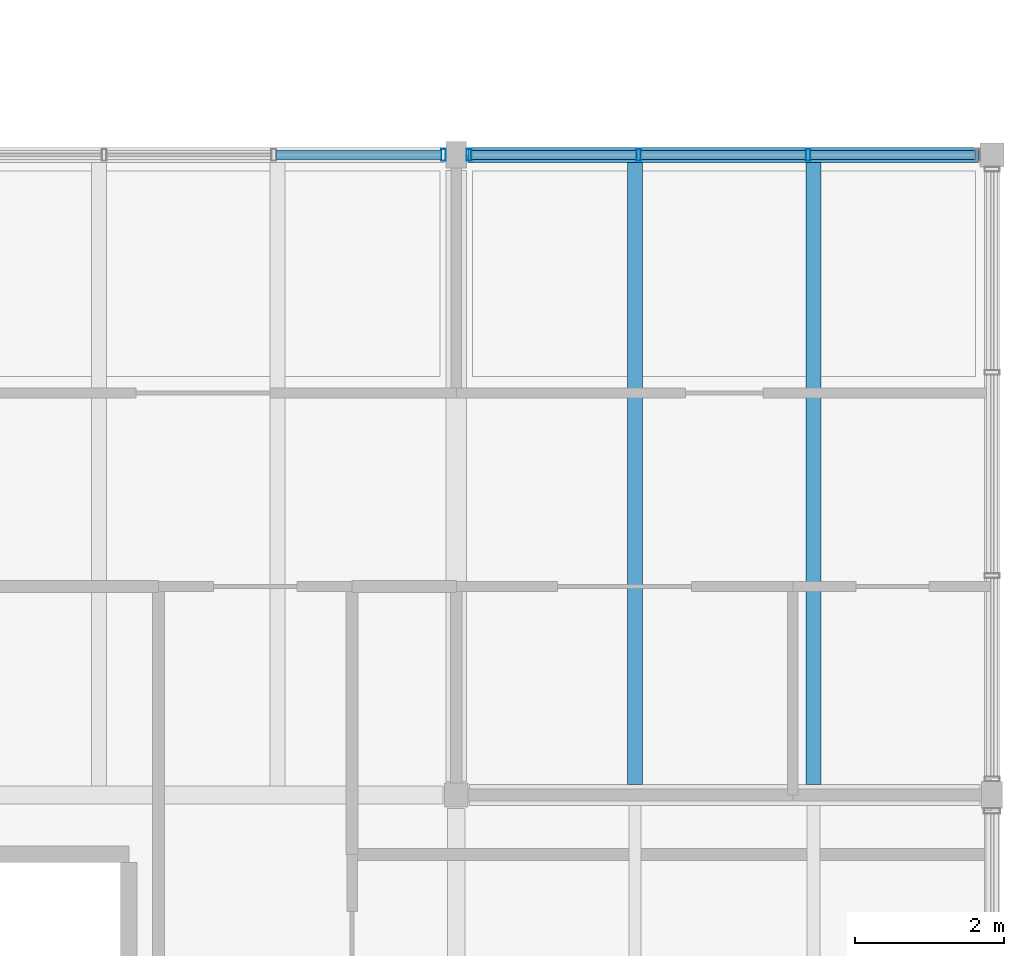
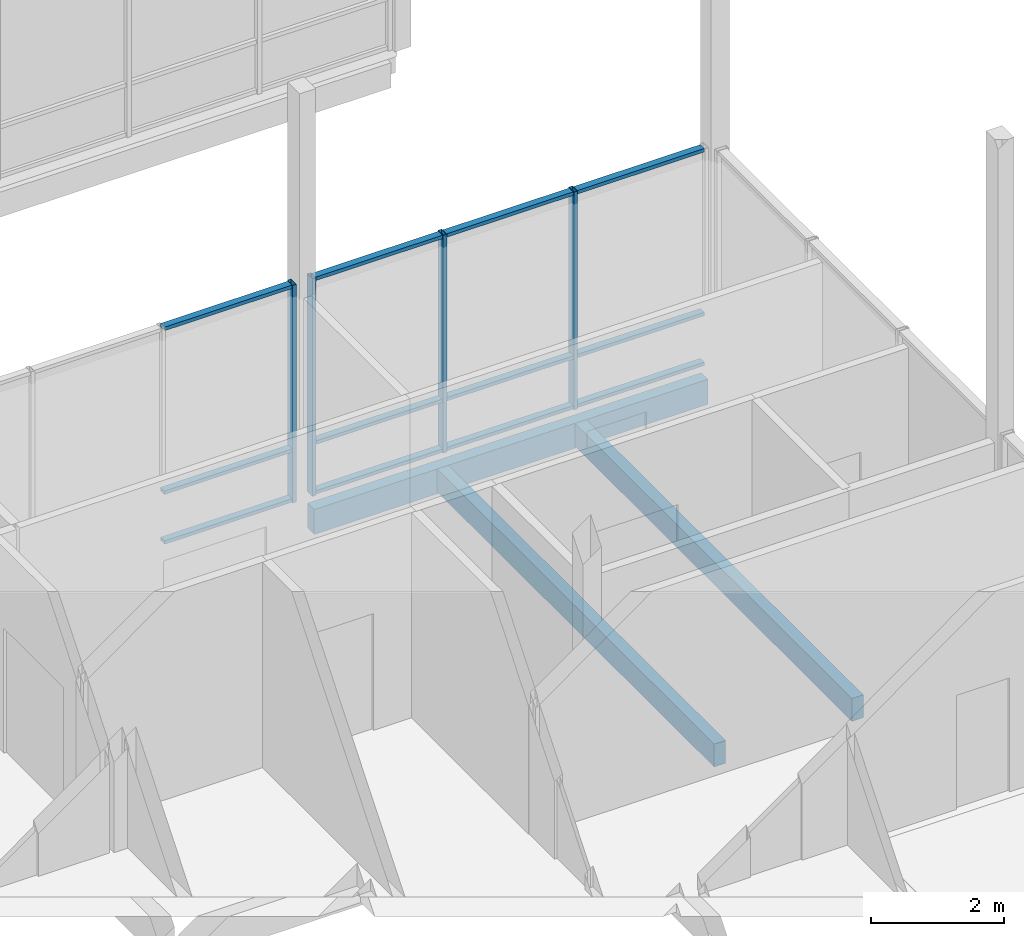
# One storey, part 54 of 115: 16 members, 3 beams, 2 elements without a shape of their own.
"""IFC4 building model written with IfcOpenShell, lengths in metres."""

import ifcopenshell
import ifcopenshell.guid

model = None  # the IFC model being written
_history = None  # IfcOwnerHistory: only IFC2X3 demands one
_inside = {}  # id of a spatial element -> (the spatial element, [elements in it])
_under = {}  # id of a project, library or spatial element -> (it, [spatial elements below it])
_declared = {}  # id of a project -> (the project, [libraries it declares])
_typed = {}  # id of a type object -> (the type object, [elements of that type])
_made_of = {}  # id of a material, layer set ... -> (it, [elements and type objects made of it])


def new_model(schema):
    """Start an empty IFC model of exactly this schema.

    Asked for "IFC4X3", IfcOpenShell would pick the latest addendum, in which some entities
    have other attributes; the version numbers below select the first issue.
    IFC2X3 requires an IfcOwnerHistory on every rooted entity: one is made here for all.
    """
    global model, _history
    if schema == "IFC4X3":
        model = ifcopenshell.file(schema_version=(4, 3, 0, 0))
    else:
        model = ifcopenshell.file(schema=schema)
    _inside.clear()
    _under.clear()
    _declared.clear()
    _typed.clear()
    _made_of.clear()
    _history = None
    if model.schema == "IFC2X3":
        org = make("IfcOrganization", Name="unknown")
        user = make(
            "IfcPersonAndOrganization",
            ThePerson=make("IfcPerson", FamilyName="unknown"),
            TheOrganization=org,
        )
        app = make(
            "IfcApplication",
            ApplicationDeveloper=org,
            Version="unknown",
            ApplicationFullName="unknown",
            ApplicationIdentifier="unknown",
        )
        _history = make(
            "IfcOwnerHistory",
            OwningUser=user,
            OwningApplication=app,
            ChangeAction="ADDED",
            CreationDate=0,
        )
    return model


def make(cls, **values):
    """One entity of the class cls with the attributes given. An attribute that is None is left unset."""
    return model.create_entity(
        cls, **{name: value for name, value in values.items() if value is not None}
    )


def rooted(cls, **values):
    """An entity with a GlobalId (a new one), such as an element, a storey or a relation."""
    return make(cls, GlobalId=ifcopenshell.guid.new(), OwnerHistory=_history, **values)


def si_unit(unit_type, name, prefix=None):
    """IfcSIUnit, for example si_unit("LENGTHUNIT", "METRE", prefix="MILLI")."""
    return make("IfcSIUnit", UnitType=unit_type, Prefix=prefix, Name=name)


def assignment(units):
    """IfcUnitAssignment: the units of a project."""
    return None if units is None else make("IfcUnitAssignment", Units=units)


def point(xyz):
    """IfcCartesianPoint."""
    return None if xyz is None else make("IfcCartesianPoint", Coordinates=xyz)


def direction(xyz):
    """IfcDirection."""
    return None if xyz is None else make("IfcDirection", DirectionRatios=xyz)


def frame(location, z_axis=None, x_axis=None):
    """IfcAxis2Placement3D, a coordinate frame: its origin and axes. An axis left out is left unset."""
    return make(
        "IfcAxis2Placement3D",
        Location=point(location),
        Axis=direction(z_axis),
        RefDirection=direction(x_axis),
    )


def frame_2d(location, x_axis=None):
    """IfcAxis2Placement2D, a coordinate frame in the plane: its origin and x axis."""
    return make(
        "IfcAxis2Placement2D", Location=point(location), RefDirection=direction(x_axis)
    )


def origin():
    """The frame at (0, 0, 0) with its axes left unset."""
    return frame((0.0, 0.0, 0.0))


def origin_2d():
    """The frame at (0, 0) in the plane with its x axis left unset."""
    return frame_2d((0.0, 0.0))


def place(relative_to, where):
    """IfcLocalPlacement: puts the frame where relative to a parent placement (None: the world)."""
    return make(
        "IfcLocalPlacement", PlacementRelTo=relative_to, RelativePlacement=where
    )


def context(
    kind, dimensions, precision=None, world=None, true_north=None, identifier=None
):
    """IfcGeometricRepresentationContext, for example the 3D "Model" context."""
    return make(
        "IfcGeometricRepresentationContext",
        ContextIdentifier=identifier,
        ContextType=kind,
        CoordinateSpaceDimension=dimensions,
        Precision=precision,
        WorldCoordinateSystem=world,
        TrueNorth=true_north,
    )


def subcontext(parent, identifier, kind, view, scale=None):
    """IfcGeometricRepresentationSubContext, for example "Body" below "Model"."""
    return make(
        "IfcGeometricRepresentationSubContext",
        ContextIdentifier=identifier,
        ContextType=kind,
        ParentContext=parent,
        TargetScale=scale,
        TargetView=view,
    )


def project(units=None, contexts=None):
    """IfcProject with its units and contexts."""
    return rooted(
        "IfcProject",
        Name="project",
        RepresentationContexts=contexts,
        UnitsInContext=assignment(units),
    )


def spatial(cls, under=None, at=None, **own):
    """A site, building, storey or space (cls), placed at a placement, below another one or the project."""
    s = rooted(cls, ObjectPlacement=at, **own)
    if under is not None:
        _under.setdefault(under.id(), (under, []))[1].append(s)
    return s


def profile(cls, at=None, kind="AREA", **sizes):
    """A parametric profile (cls). Its sizes go by their IFC names, for example OverallWidth=200.0."""
    return make(cls, ProfileType=kind, Position=at, **sizes)


def rectangle(**sizes):
    """IfcRectangleProfileDef."""
    return profile("IfcRectangleProfileDef", **sizes)


def hollow_rectangle(**sizes):
    """IfcRectangleHollowProfileDef."""
    return profile("IfcRectangleHollowProfileDef", **sizes)


def extrude(swept, where, along, depth):
    """IfcExtrudedAreaSolid: the profile swept, set in the frame where, extruded along a direction by depth."""
    return make(
        "IfcExtrudedAreaSolid",
        SweptArea=swept,
        Position=where,
        ExtrudedDirection=direction(along),
        Depth=depth,
    )


def shape(context_of_items, identifier, shape_type, items):
    """IfcShapeRepresentation: the items that make up one representation, for example the "Body"."""
    return make(
        "IfcShapeRepresentation",
        ContextOfItems=context_of_items,
        RepresentationIdentifier=identifier,
        RepresentationType=shape_type,
        Items=items,
    )


def material(Name=None, Category=None):
    """IfcMaterial."""
    return make("IfcMaterial", Name=Name, Category=Category)


def material_profile(
    of_material, cross_section, Name=None, Category=None, Priority=None
):
    """IfcMaterialProfile: a cross section and its material."""
    return make(
        "IfcMaterialProfile",
        Name=Name,
        Material=of_material,
        Profile=cross_section,
        Priority=Priority,
        Category=Category,
    )


def profile_set(profiles, Name=None, composite=None):
    """IfcMaterialProfileSet."""
    return make(
        "IfcMaterialProfileSet",
        Name=Name,
        MaterialProfiles=profiles,
        CompositeProfile=composite,
    )


def made_of(thing, what):
    """Note that an element or type object is made of a material, layer set ...; save() writes the relation."""
    if what is not None:
        _made_of.setdefault(what.id(), (what, []))[1].append(thing)
    return thing


def type_object(cls, material=None, **own):
    """A type object (cls), such as IfcWallType, which elements share."""
    return made_of(rooted(cls, **own), material)


def element(
    cls,
    number,
    at=None,
    inside=None,
    cuts=None,
    type_object=None,
    material=None,
    context=None,
    identifier="Body",
    shape_type=None,
    held_by="IfcProductDefinitionShape",
    body=None,
    shapes=None,
    **own,
):
    """One element of the class cls, such as IfcWall. Its Tag is "e" and its number.

    at: its placement. inside: the storey or other place that contains it. cuts: it is an
    opening in that element (IfcRelVoidsElement). A single representation is given by context,
    identifier, shape_type and body (its items); several are given by shapes. held_by: the class
    of the entity that holds the representations. save() writes the other relations.
    """
    e = rooted(cls, Tag="e%d" % number, ObjectPlacement=at, **own)
    if body is not None:
        shapes = [shape(context, identifier, shape_type, body)]
    if shapes is not None:
        e.Representation = make(held_by, Representations=shapes)
    if inside is not None:
        _inside.setdefault(inside.id(), (inside, []))[1].append(e)
    if cuts is not None:
        rooted(
            "IfcRelVoidsElement", RelatingBuildingElement=cuts, RelatedOpeningElement=e
        )
    if type_object is not None:
        _typed.setdefault(type_object.id(), (type_object, []))[1].append(e)
    return made_of(e, material)


def aggregate(whole, parts):
    """IfcRelAggregates: a whole, such as a stair, and the parts it consists of."""
    return rooted("IfcRelAggregates", RelatingObject=whole, RelatedObjects=parts)


def save(model, path):
    """Write the relations noted so far, then the file.

    IfcRelAggregates (storeys below a building ...), IfcRelContainedInSpatialStructure (elements
    in a storey), IfcRelDefinesByType, IfcRelAssociatesMaterial and IfcRelDeclares: one each for
    every whole, place, type object, material and project.
    """
    for whole, parts in _under.values():
        aggregate(whole, parts)
    for where, things in _inside.values():
        rooted(
            "IfcRelContainedInSpatialStructure",
            RelatedElements=things,
            RelatingStructure=where,
        )
    for kind, things in _typed.values():
        rooted("IfcRelDefinesByType", RelatedObjects=things, RelatingType=kind)
    for what, things in _made_of.values():
        rooted("IfcRelAssociatesMaterial", RelatedObjects=things, RelatingMaterial=what)
    for by, libraries in _declared.values():
        rooted("IfcRelDeclares", RelatingContext=by, RelatedDefinitions=libraries)
    model.write(path)


model = new_model("IFC4")

# Units and contexts
model_context = context("Model", 3, precision=1e-05, world=origin(), true_north=direction((0.0, 1.0)))
body_context = subcontext(model_context, "Body", "Model", "MODEL_VIEW")
ifc_project = project(units=[si_unit("LENGTHUNIT", "METRE"), si_unit("AREAUNIT", "SQUARE_METRE"), si_unit("VOLUMEUNIT", "CUBIC_METRE"), si_unit("PLANEANGLEUNIT", "RADIAN"), si_unit("MASSUNIT", "GRAM", prefix="KILO")], contexts=[model_context])

# Site, building, storey
site_placement = place(None, origin())
site = spatial("IfcSite", under=ifc_project, at=site_placement, CompositionType="ELEMENT")
building_placement = place(site_placement, origin())
building = spatial("IfcBuilding", under=site, at=building_placement, Name="Hawrajan Terrace Health Centre", CompositionType="ELEMENT")
storey_placement = place(building_placement, frame((0.0, 0.0, 9.0)))
storey = spatial("IfcBuildingStorey", under=building, at=storey_placement, Name="L02", CompositionType="ELEMENT", Elevation=9.0)

# Curtain wall, member
ifc_material_1 = material(Name="Anodized bronze aluminium and low-E solar glazing", Category="aluminium")
curtain_wall_type_1 = type_object("IfcCurtainWallType", Name="CW_Court_SeriesB3", PredefinedType="USERDEFINED", material=ifc_material_1)
curtain_wall_1_placement = place(storey_placement, origin())
curtain_wall_1 = element("IfcCurtainWall", 1, at=curtain_wall_1_placement, inside=storey, type_object=curtain_wall_type_1, Name="Curtain wall CW-L02-150", ObjectType="UNITISED CURTAIN WALL", PredefinedType="USERDEFINED")
ifc_material_2 = material(Name="Anodized bronze aluminium 6063-T6", Category="aluminium")
ifc_material_profile_1 = material_profile(ifc_material_2, hollow_rectangle(XDim=0.06494140625, YDim=0.159912109375, WallThickness=0.00390625, at=origin_2d()), Name="CW MUL 65x160")
ifc_profile_set_1 = profile_set([ifc_material_profile_1], Name="Anodized bronze aluminium 6063-T6")
member_type_1 = type_object("IfcMemberType", Name="CWMullion_65x160", PredefinedType="MULLION", material=ifc_profile_set_1)
member_1_placement = place(storey_placement, frame((158.027587890625, 27.199951171875, -0.0048828125), z_axis=(0.0, 0.0, 1.0), x_axis=(1.0, 0.0, 0.0)))
member_1 = element("IfcMember", 2, at=member_1_placement, type_object=member_type_1, Name="Mullion CW-L02-150-M4", PredefinedType="MULLION", context=body_context, shape_type="SweptSolid", body=[
    extrude(hollow_rectangle(XDim=0.06494140625, YDim=0.159912109375, WallThickness=0.00390625, at=origin_2d()), origin(), (0.0, 0.0, 1.0), 4.009765625),
])

# Curtain wall, members
curtain_wall_type_2 = type_object("IfcCurtainWallType", Name="CW_CourtNS_SeriesC3", PredefinedType="USERDEFINED", material=ifc_material_1)
curtain_wall_2_placement = place(storey_placement, origin())
curtain_wall_2 = element("IfcCurtainWall", 3, at=curtain_wall_2_placement, inside=storey, type_object=curtain_wall_type_2, Name="Curtain wall CW-L02-153", ObjectType="UNITISED CURTAIN WALL", PredefinedType="USERDEFINED")
member_2_placement = place(storey_placement, frame((158.37255859375, 27.199951171875, -0.0048828125), z_axis=(0.0, 0.0, 1.0), x_axis=(1.0, 0.0, 0.0)))
member_2 = element("IfcMember", 4, at=member_2_placement, type_object=member_type_1, Name="Mullion CW-L02-153-M1", PredefinedType="MULLION", context=body_context, shape_type="SweptSolid", body=[
    extrude(hollow_rectangle(XDim=0.06494140625, YDim=0.159912109375, WallThickness=0.00390625, at=origin_2d()), origin(), (0.0, 0.0, 1.0), 4.009765625),
])
member_3_placement = place(storey_placement, frame((160.65087890625, 27.199951171875, -0.0048828125), z_axis=(0.0, 0.0, 1.0), x_axis=(1.0, 0.0, 0.0)))
member_3 = element("IfcMember", 5, at=member_3_placement, type_object=member_type_1, Name="Mullion CW-L02-153-M2", PredefinedType="MULLION", context=body_context, shape_type="SweptSolid", body=[
    extrude(hollow_rectangle(XDim=0.06494140625, YDim=0.159912109375, WallThickness=0.00390625, at=origin_2d()), origin(), (0.0, 0.0, 1.0), 4.009765625),
])
member_4_placement = place(storey_placement, frame((162.92919921875, 27.199951171875, -0.0048828125), z_axis=(0.0, 0.0, 1.0), x_axis=(1.0, 0.0, 0.0)))
member_4 = element("IfcMember", 6, at=member_4_placement, type_object=member_type_1, Name="Mullion CW-L02-153-M3", PredefinedType="MULLION", context=body_context, shape_type="SweptSolid", body=[
    extrude(hollow_rectangle(XDim=0.06494140625, YDim=0.159912109375, WallThickness=0.00390625, at=origin_2d()), origin(), (0.0, 0.0, 1.0), 4.009765625),
])

# Member
ifc_material_profile_2 = material_profile(ifc_material_2, hollow_rectangle(XDim=0.06494140625, YDim=0.1201171875, WallThickness=0.00341796875, at=origin_2d()), Name="CW TRN 65x120")
ifc_profile_set_2 = profile_set([ifc_material_profile_2], Name="Anodized bronze aluminium 6063-T6")
member_type_2 = type_object("IfcMemberType", Name="CWTransom_65x120", PredefinedType="USERDEFINED", material=ifc_profile_set_2)
member_5_placement = place(storey_placement, frame((155.775634765625, 27.199951171875, 0.032470703125), z_axis=(1.0, 0.0, 0.0), x_axis=(0.0, 0.0, 1.0)))
member_5 = element("IfcMember", 7, at=member_5_placement, type_object=member_type_2, Name="Transom CW-L02-150-T3-1", ObjectType="TRANSOM", PredefinedType="USERDEFINED", context=body_context, shape_type="SweptSolid", body=[
    extrude(hollow_rectangle(XDim=0.06494140625, YDim=0.1201171875, WallThickness=0.00341796875, at=origin_2d()), origin(), (0.0, 0.0, 1.0), 2.225341796875),
])

member_6_placement = place(storey_placement, frame((155.775634765625, 27.199951171875, 0.949951171875), z_axis=(1.0, 0.0, 0.0), x_axis=(0.0, 0.0, 1.0)))
member_6 = element("IfcMember", 8, at=member_6_placement, type_object=member_type_2, Name="Transom CW-L02-150-T3-2", ObjectType="TRANSOM", PredefinedType="USERDEFINED", context=body_context, shape_type="SweptSolid", body=[
    extrude(hollow_rectangle(XDim=0.06494140625, YDim=0.1201171875, WallThickness=0.00341796875, at=origin_2d()), origin(), (0.0, 0.0, 1.0), 2.225341796875),
])

member_7_placement = place(storey_placement, frame((155.775634765625, 27.199951171875, 3.967529296875), z_axis=(1.0, 0.0, 0.0), x_axis=(0.0, 0.0, 1.0)))
member_7 = element("IfcMember", 9, at=member_7_placement, type_object=member_type_2, Name="Transom CW-L02-150-T3-3", ObjectType="TRANSOM", PredefinedType="USERDEFINED", context=body_context, shape_type="SweptSolid", body=[
    extrude(hollow_rectangle(XDim=0.06494140625, YDim=0.1201171875, WallThickness=0.00341796875, at=origin_2d()), origin(), (0.0, 0.0, 1.0), 2.225341796875),
])

aggregate(curtain_wall_1, [member_1, member_5, member_6, member_7])

member_8_placement = place(storey_placement, frame((158.39892578125, 27.199951171875, 0.032470703125), z_axis=(1.0, 0.0, 0.0), x_axis=(0.0, 0.0, 1.0)))
member_8 = element("IfcMember", 10, at=member_8_placement, type_object=member_type_2, Name="Transom CW-L02-153-T1-1", ObjectType="TRANSOM", PredefinedType="USERDEFINED", context=body_context, shape_type="SweptSolid", body=[
    extrude(hollow_rectangle(XDim=0.06494140625, YDim=0.1201171875, WallThickness=0.00341796875, at=origin_2d()), origin(), (0.0, 0.0, 1.0), 2.225341796875),
])

member_9_placement = place(storey_placement, frame((158.39892578125, 27.199951171875, 0.949951171875), z_axis=(1.0, 0.0, 0.0), x_axis=(0.0, 0.0, 1.0)))
member_9 = element("IfcMember", 11, at=member_9_placement, type_object=member_type_2, Name="Transom CW-L02-153-T1-2", ObjectType="TRANSOM", PredefinedType="USERDEFINED", context=body_context, shape_type="SweptSolid", body=[
    extrude(hollow_rectangle(XDim=0.06494140625, YDim=0.1201171875, WallThickness=0.00341796875, at=origin_2d()), origin(), (0.0, 0.0, 1.0), 2.225341796875),
])

member_10_placement = place(storey_placement, frame((158.39892578125, 27.199951171875, 3.967529296875), z_axis=(1.0, 0.0, 0.0), x_axis=(0.0, 0.0, 1.0)))
member_10 = element("IfcMember", 12, at=member_10_placement, type_object=member_type_2, Name="Transom CW-L02-153-T1-3", ObjectType="TRANSOM", PredefinedType="USERDEFINED", context=body_context, shape_type="SweptSolid", body=[
    extrude(hollow_rectangle(XDim=0.06494140625, YDim=0.1201171875, WallThickness=0.00341796875, at=origin_2d()), origin(), (0.0, 0.0, 1.0), 2.225341796875),
])

member_11_placement = place(storey_placement, frame((160.67724609375, 27.199951171875, 0.032470703125), z_axis=(1.0, 0.0, 0.0), x_axis=(0.0, 0.0, 1.0)))
member_11 = element("IfcMember", 13, at=member_11_placement, type_object=member_type_2, Name="Transom CW-L02-153-T2-1", ObjectType="TRANSOM", PredefinedType="USERDEFINED", context=body_context, shape_type="SweptSolid", body=[
    extrude(hollow_rectangle(XDim=0.06494140625, YDim=0.1201171875, WallThickness=0.00341796875, at=origin_2d()), origin(), (0.0, 0.0, 1.0), 2.225341796875),
])

member_12_placement = place(storey_placement, frame((160.67724609375, 27.199951171875, 0.949951171875), z_axis=(1.0, 0.0, 0.0), x_axis=(0.0, 0.0, 1.0)))
member_12 = element("IfcMember", 14, at=member_12_placement, type_object=member_type_2, Name="Transom CW-L02-153-T2-2", ObjectType="TRANSOM", PredefinedType="USERDEFINED", context=body_context, shape_type="SweptSolid", body=[
    extrude(hollow_rectangle(XDim=0.06494140625, YDim=0.1201171875, WallThickness=0.00341796875, at=origin_2d()), origin(), (0.0, 0.0, 1.0), 2.225341796875),
])

member_13_placement = place(storey_placement, frame((160.67724609375, 27.199951171875, 3.967529296875), z_axis=(1.0, 0.0, 0.0), x_axis=(0.0, 0.0, 1.0)))
member_13 = element("IfcMember", 15, at=member_13_placement, type_object=member_type_2, Name="Transom CW-L02-153-T2-3", ObjectType="TRANSOM", PredefinedType="USERDEFINED", context=body_context, shape_type="SweptSolid", body=[
    extrude(hollow_rectangle(XDim=0.06494140625, YDim=0.1201171875, WallThickness=0.00341796875, at=origin_2d()), origin(), (0.0, 0.0, 1.0), 2.225341796875),
])

member_14_placement = place(storey_placement, frame((162.955810546875, 27.199951171875, 0.032470703125), z_axis=(1.0, 0.0, 0.0), x_axis=(0.0, 0.0, 1.0)))
member_14 = element("IfcMember", 16, at=member_14_placement, type_object=member_type_2, Name="Transom CW-L02-153-T3-1", ObjectType="TRANSOM", PredefinedType="USERDEFINED", context=body_context, shape_type="SweptSolid", body=[
    extrude(hollow_rectangle(XDim=0.06494140625, YDim=0.1201171875, WallThickness=0.00341796875, at=origin_2d()), origin(), (0.0, 0.0, 1.0), 2.22509765625),
])

member_15_placement = place(storey_placement, frame((162.955810546875, 27.199951171875, 0.949951171875), z_axis=(1.0, 0.0, 0.0), x_axis=(0.0, 0.0, 1.0)))
member_15 = element("IfcMember", 17, at=member_15_placement, type_object=member_type_2, Name="Transom CW-L02-153-T3-2", ObjectType="TRANSOM", PredefinedType="USERDEFINED", context=body_context, shape_type="SweptSolid", body=[
    extrude(hollow_rectangle(XDim=0.06494140625, YDim=0.1201171875, WallThickness=0.00341796875, at=origin_2d()), origin(), (0.0, 0.0, 1.0), 2.22509765625),
])

member_16_placement = place(storey_placement, frame((162.955810546875, 27.199951171875, 3.967529296875), z_axis=(1.0, 0.0, 0.0), x_axis=(0.0, 0.0, 1.0)))
member_16 = element("IfcMember", 18, at=member_16_placement, type_object=member_type_2, Name="Transom CW-L02-153-T3-3", ObjectType="TRANSOM", PredefinedType="USERDEFINED", context=body_context, shape_type="SweptSolid", body=[
    extrude(hollow_rectangle(XDim=0.06494140625, YDim=0.1201171875, WallThickness=0.00341796875, at=origin_2d()), origin(), (0.0, 0.0, 1.0), 2.22509765625),
])

aggregate(curtain_wall_2, [member_2, member_3, member_4, member_8, member_9, member_10, member_11, member_12, member_13, member_14, member_15, member_16])

# Beams
ifc_material_3 = material(Name="Glulam GL28h", Category="wood")
ifc_material_profile_3 = material_profile(ifc_material_3, rectangle(XDim=0.199951171875, YDim=0.419921875, at=origin_2d()), Name="GL JST 200x420")
ifc_profile_set_3 = profile_set([ifc_material_profile_3], Name="Glulam GL28h")
beam_type_1 = type_object("IfcBeamType", Name="GlulamJoist_200x420", PredefinedType="JOIST", material=ifc_profile_set_3)
for number, where, z_axis, x_axis, name in (
    (19, (160.60009765625, 18.739990234375, -0.449951171875), (0.0, 1.0, 0.0), (-1.0, 0.0, 0.0), "Secondary joist JST-L02-E-21-3-1"),
    (20, (163.0, 18.739990234375, -0.449951171875), (0.0, 1.0, 0.0), (-1.0, 0.0, 0.0), "Secondary joist JST-L02-E-21-3-2"),
):
    element("IfcBeam", number, at=place(storey_placement, frame(where, z_axis=z_axis, x_axis=x_axis)), inside=storey, type_object=beam_type_1, Name=name, PredefinedType="JOIST", context=body_context, shape_type="SweptSolid", body=[
        extrude(rectangle(XDim=0.199951171875, YDim=0.419921875, at=origin_2d()), origin(), (0.0, 0.0, 1.0), 8.360107421875),
    ])
ifc_material_4 = material(Name="Glulam GL32h", Category="wood")
ifc_material_profile_4 = material_profile(ifc_material_4, rectangle(XDim=0.199951171875, YDim=0.4599609375, at=origin_2d()), Name="GL SP 200x460")
ifc_profile_set_4 = profile_set([ifc_material_profile_4], Name="Glulam GL32h")
beam_type_2 = type_object("IfcBeamType", Name="GlulamSpandrel_200x460", PredefinedType="SPANDREL", material=ifc_profile_set_4)
beam_placement = place(storey_placement, frame((158.360107421875, 27.199951171875, -0.469970703125), z_axis=(1.0, 0.0, 0.0), x_axis=(0.0, 1.0, 0.0)))
element("IfcBeam", 21, at=beam_placement, inside=storey, type_object=beam_type_2, Name="Beam BM-X-L02-E-21-Y4", PredefinedType="SPANDREL", context=body_context, shape_type="SweptSolid", body=[
    extrude(rectangle(XDim=0.199951171875, YDim=0.4599609375, at=origin_2d()), origin(), (0.0, 0.0, 1.0), 6.85986328125),
])

save(model, "model.ifc")
